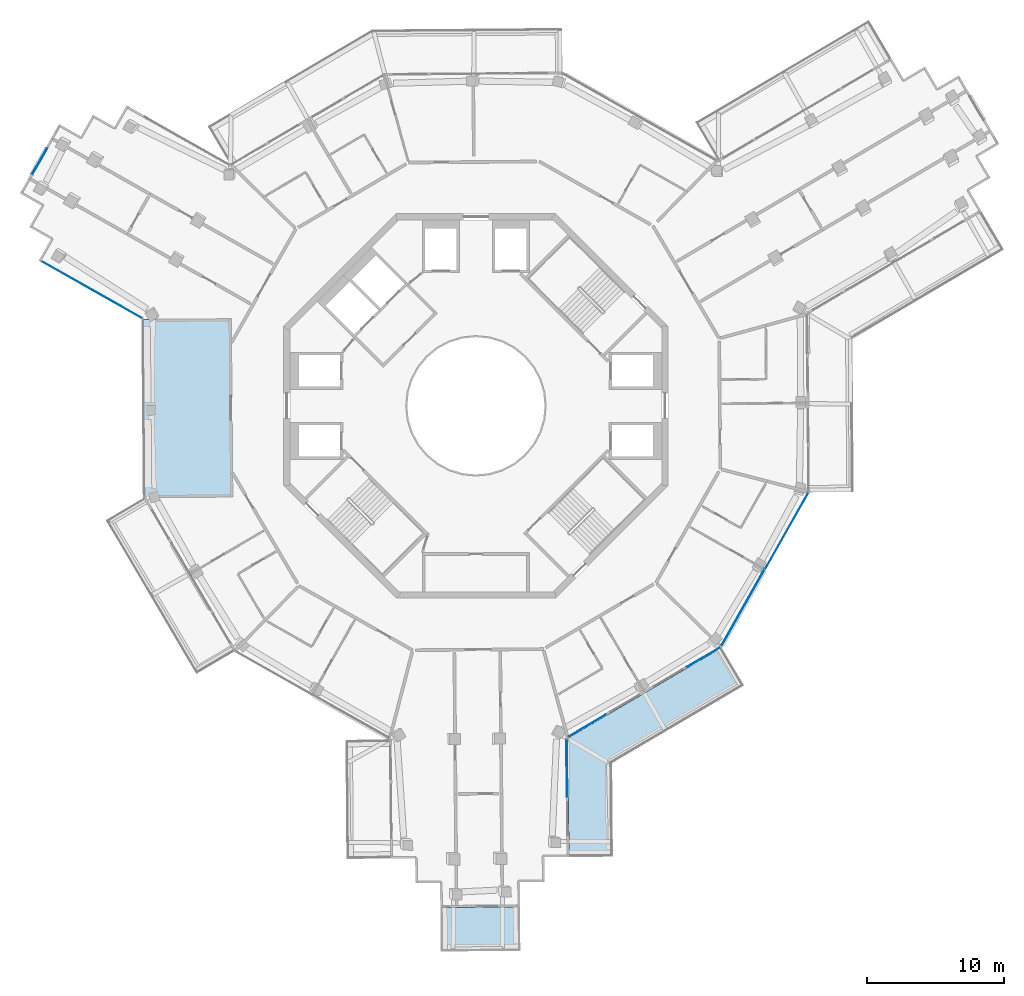
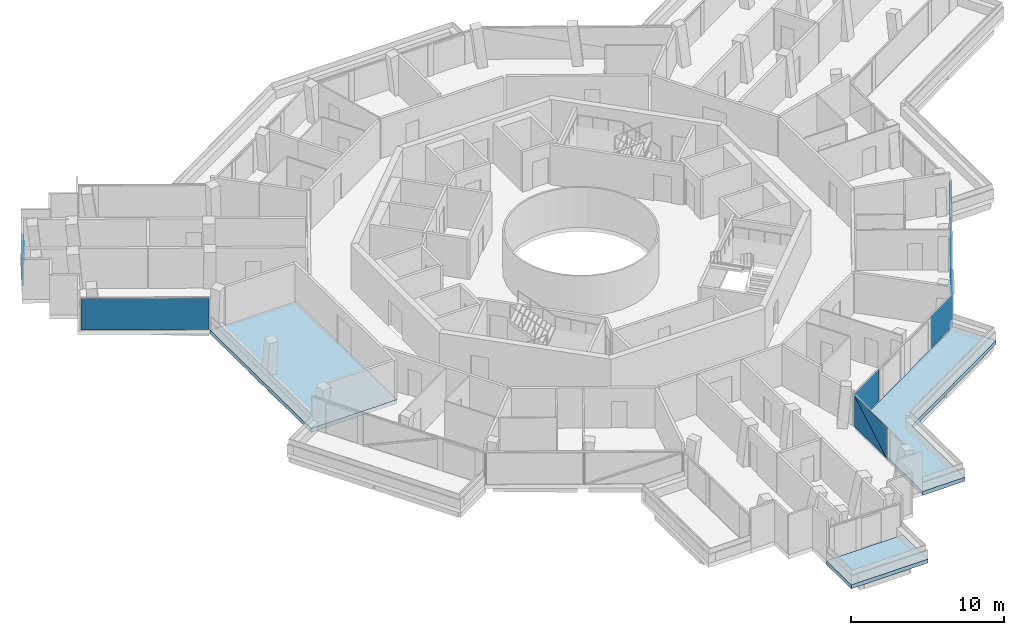
# One storey, part 14 of 26: 10 plates, 3 slabs, 5 elements without a shape of their own.
"""IFC4 building model written with IfcOpenShell, lengths in metres."""

from ifc_helpers import new_model, si_unit, direction, frame, origin, origin_2d, place, context, subcontext, project, spatial, polyline, rectangle, outline, extrude, material, layer, layer_set, type_object, element, aggregate, save


model = new_model("IFC4")

# Units and contexts
model_context = context("Model", 3, precision=1e-05, world=origin(), true_north=direction((0.0, 1.0)))
body_context = subcontext(model_context, "Body", "Model", "MODEL_VIEW")
ifc_project = project(units=[si_unit("LENGTHUNIT", "METRE"), si_unit("AREAUNIT", "SQUARE_METRE"), si_unit("VOLUMEUNIT", "CUBIC_METRE"), si_unit("PLANEANGLEUNIT", "RADIAN"), si_unit("MASSUNIT", "GRAM", prefix="KILO")], contexts=[model_context])

# Site, building, storey
site_placement = place(None, origin())
site = spatial("IfcSite", under=ifc_project, at=site_placement, CompositionType="ELEMENT")
building_placement = place(site_placement, origin())
building = spatial("IfcBuilding", under=site, at=building_placement, Name="Verdalira Terraces Hotel", CompositionType="ELEMENT")
storey_placement = place(building_placement, frame((0.0, 0.0, 281.0)))
storey = spatial("IfcBuildingStorey", under=building, at=storey_placement, Name="L69", CompositionType="ELEMENT", Elevation=281.0)

# Slabs
ifc_material_1 = material(Name="Precast concrete C40/50", Category="concrete")
ifc_layer_1 = layer(ifc_material_1, 0.31005859375)
ifc_layer_set_1 = layer_set([ifc_layer_1], Name="Balcony deck 310")
slab_type_1 = type_object("IfcSlabType", Name="Balcony deck 310", PredefinedType="FLOOR", material=ifc_layer_set_1)
slab_1_placement = place(storey_placement, frame((0.0, 0.0, -0.310059)))
element("IfcSlab", 1, at=slab_1_placement, inside=storey, type_object=slab_type_1, Name="Balcony deck", PredefinedType="FLOOR", context=body_context, shape_type="SweptSolid", body=[
    extrude(outline(polyline([(3.232666, -39.692627), (3.205811, -36.49292), (-2.593994, -36.541504), (-2.567139, -39.741211), (3.232666, -39.692627)])), origin(), (0.0, 0.0, 1.0), 0.310059),
])
slab_2_placement = place(storey_placement, frame((0.0, 0.0, -0.310059)))
element("IfcSlab", 2, at=slab_2_placement, inside=storey, type_object=slab_type_1, Name="Balcony deck", PredefinedType="FLOOR", context=body_context, shape_type="SweptSolid", body=[
    extrude(outline(polyline([(19.529541, -20.366699), (17.906494, -17.608887), (6.702881, -24.203125), (6.775635, -32.862793), (9.975342, -32.835938), (9.918457, -26.023682), (19.529541, -20.366699)])), origin(), (0.0, 0.0, 1.0), 0.310059),
])

# Curtain wall, plates
ifc_material_2 = material(Name="Clear glass", Category="glass")
ifc_layer_2 = layer(ifc_material_2, 0.14990234375)
ifc_layer_set_2 = layer_set([ifc_layer_2], Name="CW1 curtain wall")
curtain_wall_type_1 = type_object("IfcCurtainWallType", Name="CW1 curtain wall", PredefinedType="NOTDEFINED", material=ifc_layer_set_2)
curtain_wall_1_placement = place(storey_placement, origin())
curtain_wall_1 = element("IfcCurtainWall", 3, at=curtain_wall_1_placement, inside=storey, type_object=curtain_wall_type_1, Name="CW1 curtain wall L69 edge 25", PredefinedType="NOTDEFINED")
ifc_material_3 = material(Name="Clear glass", Category="glass")
ifc_layer_3 = layer(ifc_material_3, 0.028076171875)
ifc_layer_set_3 = layer_set([ifc_layer_3], Name="CW1 glass unit 28")
plate_type_1 = type_object("IfcPlateType", Name="CW1 glass unit 28", PredefinedType="CURTAIN_PANEL", material=ifc_layer_set_3)
plate_1_placement = place(storey_placement, frame((8.091309, -23.298828, 0.0), z_axis=(0.0, 0.0, 1.0), x_axis=(0.861806272, 0.507237567, 0.0)))
plate_1 = element("IfcPlate", 4, at=plate_1_placement, type_object=plate_type_1, Name="CW1 glass unit", PredefinedType="CURTAIN_PANEL", context=body_context, shape_type="SweptSolid", body=[
    extrude(rectangle(XDim=3.189941, YDim=0.028076, at=origin_2d()), origin(), (0.0, 0.0, 1.0), 2.524902),
])
plate_2_placement = place(storey_placement, frame((16.580566, -18.302246, 0.0), z_axis=(0.0, 0.0, 1.0), x_axis=(0.861806272, 0.507237567, 0.0)))
plate_2 = element("IfcPlate", 5, at=plate_2_placement, type_object=plate_type_1, Name="CW1 glass unit", PredefinedType="CURTAIN_PANEL", context=body_context, shape_type="SweptSolid", body=[
    extrude(rectangle(XDim=2.788574, YDim=0.028076, at=origin_2d()), origin(), (0.0, 0.0, 1.0), 2.524902),
])
aggregate(curtain_wall_1, [plate_1, plate_2])

curtain_wall_2_placement = place(storey_placement, origin())
curtain_wall_2 = element("IfcCurtainWall", 6, at=curtain_wall_2_placement, inside=storey, type_object=curtain_wall_type_1, Name="CW1 curtain wall L69 edge 26", PredefinedType="NOTDEFINED")
plate_3_placement = place(storey_placement, frame((19.447754, -14.706543, 1.262451), z_axis=(0.870183755, -0.492727342, 0.0), x_axis=(0.492727342, 0.870183755, 0.0)))
plate_3 = element("IfcPlate", 7, at=plate_3_placement, type_object=plate_type_1, Name="CW1 glass unit", PredefinedType="CURTAIN_PANEL", context=body_context, shape_type="SweptSolid", body=[
    extrude(outline(polyline([(-3.185059, -1.262451), (3.185059, -1.262451), (-3.185059, 1.262451), (-3.185059, -1.262451)])), origin(), (0.0, 0.0, 1.0), 0.028076),
])
plate_4_placement = place(storey_placement, frame((19.422363, -14.692139, 1.262451), z_axis=(0.870183755, -0.492727342, 0.0), x_axis=(0.492727342, 0.870183755, 0.0)))
plate_4 = element("IfcPlate", 8, at=plate_4_placement, type_object=plate_type_1, Name="CW1 glass unit", PredefinedType="CURTAIN_PANEL", context=body_context, shape_type="SweptSolid", body=[
    extrude(outline(polyline([(3.185059, -1.262451), (3.185059, 1.262451), (-3.185059, 1.262451), (3.185059, -1.262451)])), origin(), (0.0, 0.0, 1.0), 0.028076),
])
plate_5_placement = place(storey_placement, frame((22.62793, -9.118164, 0.0), z_axis=(0.0, 0.0, 1.0), x_axis=(0.492727342, 0.870183755, 0.0)))
plate_5 = element("IfcPlate", 9, at=plate_5_placement, type_object=plate_type_1, Name="CW1 glass unit", PredefinedType="CURTAIN_PANEL", context=body_context, shape_type="SweptSolid", body=[
    extrude(rectangle(XDim=6.369873, YDim=0.028076, at=origin_2d()), origin(), (0.0, 0.0, 1.0), 2.524902),
])
aggregate(curtain_wall_2, [plate_3, plate_4, plate_5])

# Curtain wall, plate
ifc_material_4 = material(Name="Clear glass", Category="glass")
ifc_layer_4 = layer(ifc_material_4, 0.14990234375)
ifc_layer_set_4 = layer_set([ifc_layer_4], Name="CW2 curtain wall")
curtain_wall_type_2 = type_object("IfcCurtainWallType", Name="CW2 curtain wall", PredefinedType="NOTDEFINED", material=ifc_layer_set_4)
curtain_wall_3_placement = place(storey_placement, origin())
curtain_wall_3 = element("IfcCurtainWall", 10, at=curtain_wall_3_placement, inside=storey, type_object=curtain_wall_type_2, Name="CW2 curtain wall L69 edge 10", PredefinedType="NOTDEFINED")
ifc_material_5 = material(Name="Clear glass", Category="glass")
ifc_layer_5 = layer(ifc_material_5, 0.031982421875)
ifc_layer_set_5 = layer_set([ifc_layer_5], Name="CW2 glass unit 32")
plate_type_2 = type_object("IfcPlateType", Name="CW2 glass unit 32", PredefinedType="CURTAIN_PANEL", material=ifc_layer_set_5)
plate_6_placement = place(storey_placement, frame((-27.977539, 8.458496, 0.0), z_axis=(0.0, 0.0, 1.0), x_axis=(0.870183755, -0.492727342, 0.0)))
plate_6 = element("IfcPlate", 11, at=plate_6_placement, type_object=plate_type_2, Name="CW2 glass unit", PredefinedType="CURTAIN_PANEL", context=body_context, shape_type="SweptSolid", body=[
    extrude(rectangle(XDim=8.370117, YDim=0.031982, at=origin_2d()), origin(), (0.0, 0.0, 1.0), 2.524902),
])
aggregate(curtain_wall_3, [plate_6])

# Curtain wall, plates
curtain_wall_4_placement = place(storey_placement, origin())
curtain_wall_4 = element("IfcCurtainWall", 12, at=curtain_wall_4_placement, inside=storey, type_object=curtain_wall_type_2, Name="CW2 curtain wall L69 edge 24", PredefinedType="NOTDEFINED")
plate_7_placement = place(storey_placement, frame((6.630371, -26.378906, 1.262451), z_axis=(0.999964908, 0.008377482, 0.0), x_axis=(-0.008377482, 0.999964908, 0.0)))
plate_7 = element("IfcPlate", 13, at=plate_7_placement, type_object=plate_type_2, Name="CW2 glass unit", PredefinedType="CURTAIN_PANEL", context=body_context, shape_type="SweptSolid", body=[
    extrude(outline(polyline([(-2.10498, -1.262451), (2.10498, -1.262451), (2.10498, 1.262451), (-2.10498, -1.262451)])), origin(), (0.0, 0.0, 1.0), 0.031982),
])
plate_8_placement = place(storey_placement, frame((6.597412, -26.37915, 1.262451), z_axis=(0.999964908, 0.008377482, 0.0), x_axis=(-0.008377482, 0.999964908, 0.0)))
plate_8 = element("IfcPlate", 14, at=plate_8_placement, type_object=plate_type_2, Name="CW2 glass unit", PredefinedType="CURTAIN_PANEL", context=body_context, shape_type="SweptSolid", body=[
    extrude(outline(polyline([(-2.10498, -1.262451), (2.10498, 1.262451), (-2.10498, 1.262451), (-2.10498, -1.262451)])), origin(), (0.0, 0.0, 1.0), 0.031982),
])
aggregate(curtain_wall_4, [plate_7, plate_8])

ifc_material_6 = material(Name="Clear glass", Category="glass")
ifc_layer_6 = layer(ifc_material_6, 0.14990234375)
ifc_layer_set_6 = layer_set([ifc_layer_6], Name="CW3 curtain wall")
curtain_wall_type_3 = type_object("IfcCurtainWallType", Name="CW3 curtain wall", PredefinedType="NOTDEFINED", material=ifc_layer_set_6)
curtain_wall_5_placement = place(storey_placement, origin())
curtain_wall_5 = element("IfcCurtainWall", 15, at=curtain_wall_5_placement, inside=storey, type_object=curtain_wall_type_3, Name="CW3 curtain wall L69 edge 5", PredefinedType="NOTDEFINED")
ifc_material_7 = material(Name="Clear glass", Category="glass")
ifc_layer_7 = layer(ifc_material_7, 0.035888671875)
ifc_layer_set_7 = layer_set([ifc_layer_7], Name="CW3 glass unit 36")
plate_type_3 = type_object("IfcPlateType", Name="CW3 glass unit 36", PredefinedType="CURTAIN_PANEL", material=ifc_layer_set_7)
plate_9_placement = place(storey_placement, frame((-31.784668, 17.792725, 1.262451), z_axis=(-0.870183755, 0.492727342, 0.0), x_axis=(-0.492727342, -0.870183755, 0.0)))
plate_9 = element("IfcPlate", 16, at=plate_9_placement, type_object=plate_type_3, Name="CW3 glass unit", PredefinedType="CURTAIN_PANEL", context=body_context, shape_type="SweptSolid", body=[
    extrude(outline(polyline([(-1.101074, -1.262451), (1.101074, -1.262451), (1.101074, 1.262451), (-1.101074, -1.262451)])), origin(), (0.0, 0.0, 1.0), 0.035889),
])
plate_10_placement = place(storey_placement, frame((-31.752441, 17.774414, 1.262451), z_axis=(-0.870183755, 0.492727342, 0.0), x_axis=(-0.492727342, -0.870183755, 0.0)))
plate_10 = element("IfcPlate", 17, at=plate_10_placement, type_object=plate_type_3, Name="CW3 glass unit", PredefinedType="CURTAIN_PANEL", context=body_context, shape_type="SweptSolid", body=[
    extrude(outline(polyline([(-1.101074, -1.262451), (1.101074, 1.262451), (-1.101074, 1.262451), (-1.101074, -1.262451)])), origin(), (0.0, 0.0, 1.0), 0.035889),
])
aggregate(curtain_wall_5, [plate_9, plate_10])

# Slab
ifc_material_8 = material(Name="Concrete C40", Category="concrete")
ifc_layer_8 = layer(ifc_material_8, 0.31005859375)
ifc_layer_set_8 = layer_set([ifc_layer_8], Name="Loggia floor deck 310 C40")
slab_type_2 = type_object("IfcSlabType", Name="Loggia floor deck 310 C40", PredefinedType="FLOOR", material=ifc_layer_set_8)
slab_3_placement = place(storey_placement, frame((0.0, 0.0, -0.310059)))
element("IfcSlab", 18, at=slab_3_placement, inside=storey, type_object=slab_type_2, Name="Loggia deck L69", PredefinedType="FLOOR", context=body_context, shape_type="SweptSolid", body=[
    extrude(outline(polyline([(-17.703369, -6.648438), (-17.812256, 6.351074), (-24.312012, 6.296387), (-24.202881, -6.702881), (-24.202881, -6.702881), (-17.703369, -6.648438)])), origin(), (0.0, 0.0, 1.0), 0.310059),
])

save(model, "model.ifc")
